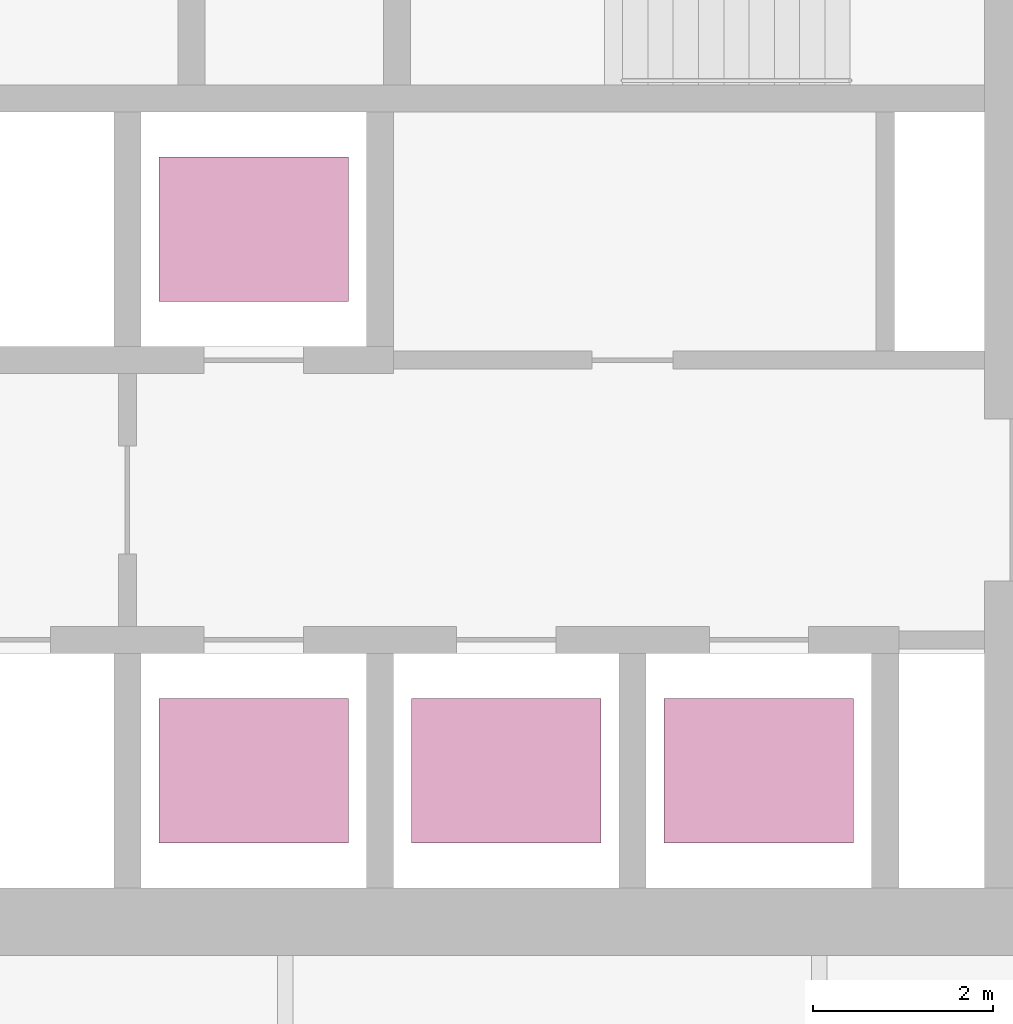
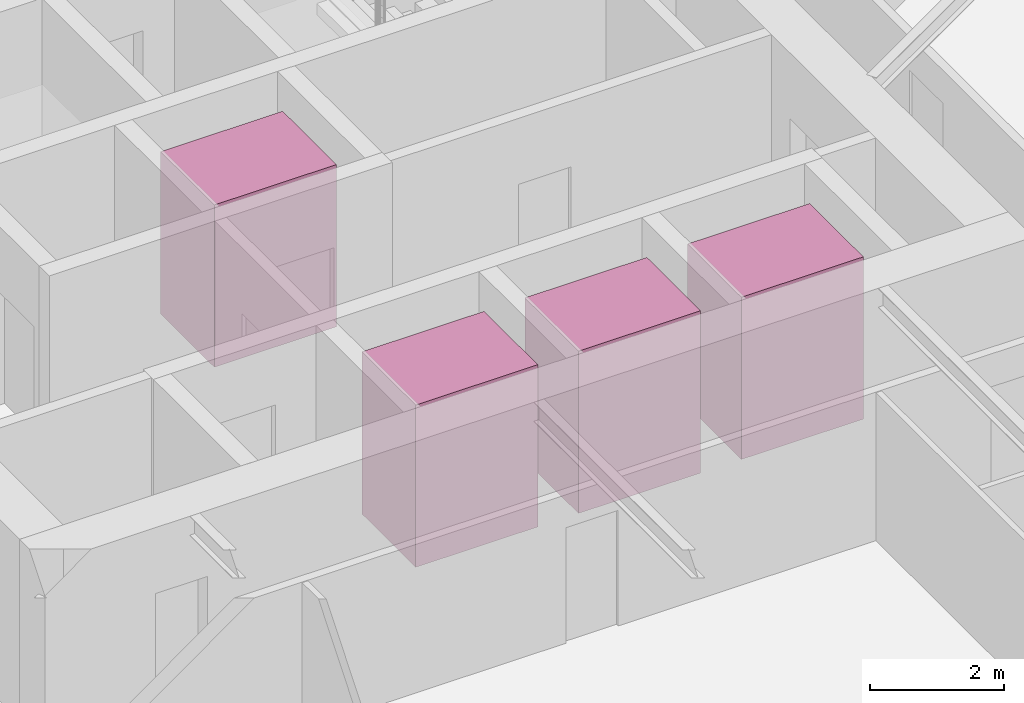
# One storey, part 19 of 19: 4 transport elements.
"""IFC4 building model written with IfcOpenShell, lengths in metres."""

from ifc_helpers import new_model, si_unit, direction, frame, origin, origin_2d, place, context, subcontext, project, spatial, rectangle, extrude, material, type_object, element, save


model = new_model("IFC4")

# Units and contexts
model_context = context("Model", 3, precision=1e-05, world=origin(), true_north=direction((0.0, 1.0)))
body_context = subcontext(model_context, "Body", "Model", "MODEL_VIEW")
ifc_project = project(units=[si_unit("LENGTHUNIT", "METRE"), si_unit("AREAUNIT", "SQUARE_METRE"), si_unit("VOLUMEUNIT", "CUBIC_METRE"), si_unit("PLANEANGLEUNIT", "RADIAN"), si_unit("MASSUNIT", "GRAM", prefix="KILO")], contexts=[model_context])

# Site, building, storey
site_placement = place(None, origin())
site = spatial("IfcSite", under=ifc_project, at=site_placement, CompositionType="ELEMENT")
building_placement = place(site_placement, origin())
building = spatial("IfcBuilding", under=site, at=building_placement, Name="Firuza Gate Tower and Library", CompositionType="ELEMENT")
storey_placement = place(building_placement, frame((0.0, 0.0, 316.10009765625)))
storey = spatial("IfcBuildingStorey", under=building, at=storey_placement, Name="L77", CompositionType="ELEMENT", Elevation=316.10009765625)

# Transport elements
ifc_material = material(Name="Stainless steel and glass", Category="steel")
transport_element_type = type_object("IfcTransportElementType", Name="High-rise lift car 2100x1600", PredefinedType="ELEVATOR", material=ifc_material)
for number, where, z_axis, x_axis, name in (
    (1, (74.64990234375, 70.300048828125, 0.0), (0.0, 0.0, 1.0), (1.0, 0.0, 0.0), "High-rise lift HR1"),
    (2, (77.449951171875, 70.300048828125, 0.0), (0.0, 0.0, 1.0), (1.0, 0.0, 0.0), "High-rise lift HR2"),
    (3, (80.25, 70.300048828125, 0.0), (0.0, 0.0, 1.0), (1.0, 0.0, 0.0), "High-rise lift HR3"),
    (4, (74.64990234375, 76.300048828125, 0.0), (0.0, 0.0, 1.0), (1.0, 0.0, 0.0), "High-rise lift HR4"),
):
    element("IfcTransportElement", number, at=place(storey_placement, frame(where, z_axis=z_axis, x_axis=x_axis)), inside=storey, type_object=transport_element_type, Name=name, PredefinedType="ELEVATOR", context=body_context, shape_type="SweptSolid", body=[
        extrude(rectangle(XDim=2.10009765625, YDim=1.60009765625, at=origin_2d()), origin(), (0.0, 0.0, 1.0), 2.949951171875),
    ])

save(model, "model.ifc")
